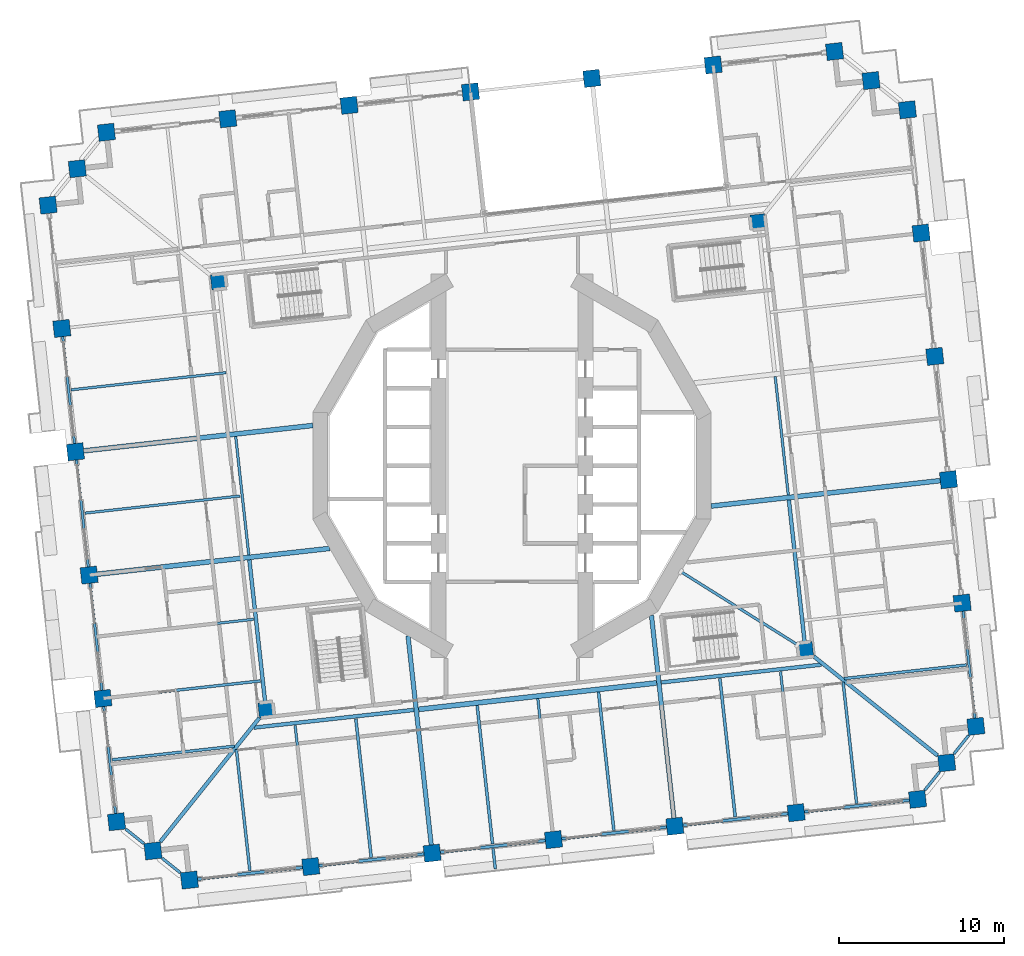
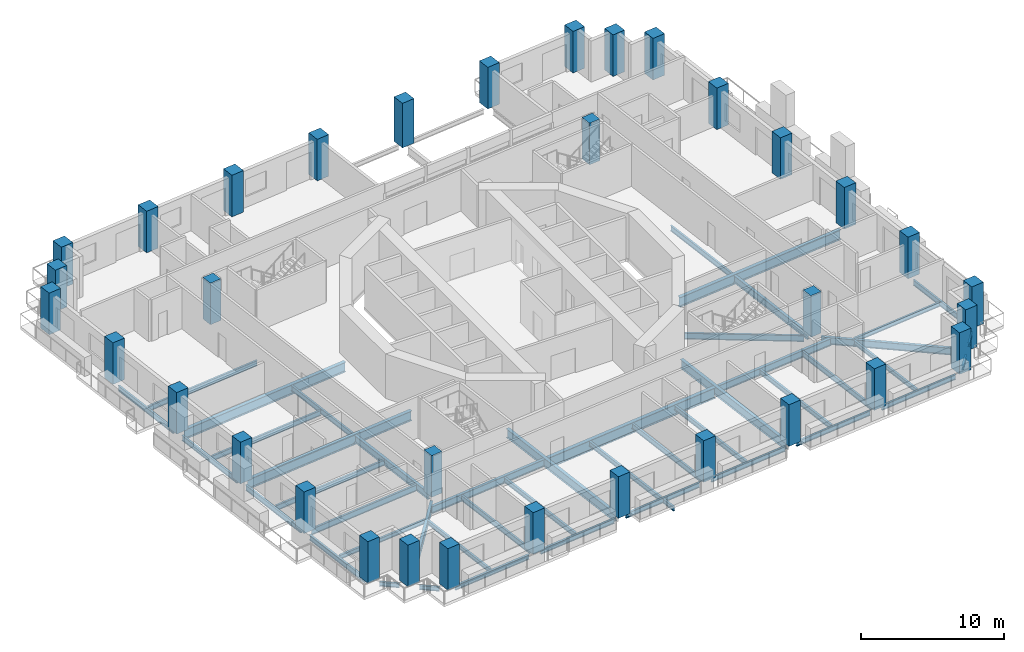
# One storey, part 1 of 20: 46 beams, 34 columns.
"""IFC4 building model written with IfcOpenShell, lengths in metres."""

from ifc_helpers import new_model, si_unit, direction, frame, origin, origin_2d, place, context, subcontext, project, spatial, rectangle, i_section, extrude, material, material_profile, profile_set, type_object, element, save


model = new_model("IFC4")

# Units and contexts
model_context = context("Model", 3, precision=1e-05, world=origin(), true_north=direction((0.0, 1.0)))
body_context = subcontext(model_context, "Body", "Model", "MODEL_VIEW")
ifc_project = project(units=[si_unit("LENGTHUNIT", "METRE"), si_unit("AREAUNIT", "SQUARE_METRE"), si_unit("VOLUMEUNIT", "CUBIC_METRE"), si_unit("PLANEANGLEUNIT", "RADIAN"), si_unit("MASSUNIT", "GRAM", prefix="KILO")], contexts=[model_context])

# Site, building, storey
site_placement = place(None, origin())
site = spatial("IfcSite", under=ifc_project, at=site_placement, CompositionType="ELEMENT")
building_placement = place(site_placement, origin())
building = spatial("IfcBuilding", under=site, at=building_placement, Name="Cantera Rosa Tower", CompositionType="ELEMENT")
storey_placement = place(building_placement, frame((0.0, 0.0, 50.10009765625)))
storey = spatial("IfcBuildingStorey", under=building, at=storey_placement, Name="L09", CompositionType="ELEMENT", Elevation=50.10009765625)

# Columns
ifc_material_1 = material(Name="Concrete C70/85", Category="concrete")
ifc_material_profile_1 = material_profile(ifc_material_1, rectangle(XDim=1.0, YDim=1.0, at=origin_2d()), Name="RC COLUMN RC1000X1000 C70/85")
ifc_profile_set_1 = profile_set([ifc_material_profile_1], Name="Concrete C70/85")
column_type_1 = type_object("IfcColumnType", Name="RC COLUMN RC1000X1000 C70/85", PredefinedType="COLUMN", material=ifc_profile_set_1)
for number, where, z_axis, x_axis, name in (
    (1, (28.114013671875, -15.795166015625, 0.0), (0.0, 0.0, 1.0), (0.993896946415, 0.110312555526, 0.0), "C-Z1-01 L09"),
    (2, (27.284423828125, -8.321044921875, 0.0), (0.0, 0.0, 1.0), (0.993896946415, 0.110312555526, 0.0), "C-Z1-02 L09"),
    (3, (26.454833984375, -0.846923828125, 0.0), (0.0, 0.0, 1.0), (0.993896946415, 0.110312555526, 0.0), "C-Z1-03 L09"),
    (4, (25.625244140625, 6.627197265625, 0.0), (0.0, 0.0, 1.0), (0.993896946415, 0.110312555526, 0.0), "C-Z1-04 L09"),
    (5, (24.795654296875, 14.101318359375, 0.0), (0.0, 0.0, 1.0), (0.993896946415, 0.110312555526, 0.0), "C-Z1-05 L09"),
    (6, (23.96630859375, 21.575439453125, 0.0), (0.0, 0.0, 1.0), (0.993896946415, 0.110312555526, 0.0), "C-Z1-06 L09"),
    (7, (21.7578125, 23.342529296875, 0.0), (0.0, 0.0, 1.0), (0.993896946415, 0.110312555526, 0.0), "C-Z1-07 L09"),
    (8, (19.54931640625, 25.10986328125, 0.0), (0.0, 0.0, 1.0), (0.993896946415, 0.110312555526, 0.0), "C-Z1-08 L09"),
    (9, (12.194580078125, 24.29345703125, 0.0), (0.0, 0.0, 1.0), (0.993896946415, 0.110312555526, 0.0), "C-Z1-09 L09"),
):
    element("IfcColumn", number, at=place(storey_placement, frame(where, z_axis=z_axis, x_axis=x_axis)), inside=storey, type_object=column_type_1, Name=name, PredefinedType="COLUMN", context=body_context, shape_type="SweptSolid", body=[
        extrude(rectangle(XDim=1.0, YDim=1.0, at=origin_2d()), origin(), (0.0, 0.0, 1.0), 3.5498046875),
    ])
column_placement = place(storey_placement, frame((4.839599609375, 23.47705078125, -0.25), z_axis=(0.0, 0.0, 1.0), x_axis=(0.993896946415, 0.110312555526, 0.0)))
element("IfcColumn", 10, at=column_placement, inside=storey, type_object=column_type_1, Name="C-Z1-10 L09", PredefinedType="COLUMN", context=body_context, shape_type="SweptSolid", body=[
    extrude(rectangle(XDim=1.0, YDim=1.0, at=origin_2d()), origin(), (0.0, 0.0, 1.0), 3.7998046875),
])
for number, where, z_axis, x_axis, name in (
    (11, (-2.51513671875, 22.660888671875, 0.0), (0.0, 0.0, 1.0), (0.993896946415, 0.110312555526, 0.0), "C-Z1-11 L09"),
    (12, (-9.869873046875, 21.844482421875, 0.0), (0.0, 0.0, 1.0), (0.993896946415, 0.110312555526, 0.0), "C-Z1-12 L09"),
    (13, (-17.224853515625, 21.0283203125, 0.0), (0.0, 0.0, 1.0), (0.993896946415, 0.110312555526, 0.0), "C-Z1-13 L09"),
    (14, (-24.57958984375, 20.2119140625, 0.0), (0.0, 0.0, 1.0), (0.993896946415, 0.110312555526, 0.0), "C-Z1-14 L09"),
    (15, (-26.346923828125, 18.00341796875, 0.0), (0.0, 0.0, 1.0), (0.993896946415, 0.110312555526, 0.0), "C-Z1-15 L09"),
    (16, (-28.114013671875, 15.795166015625, 0.0), (0.0, 0.0, 1.0), (0.993896946415, 0.110312555526, 0.0), "C-Z1-16 L09"),
    (17, (-27.284423828125, 8.321044921875, 0.0), (0.0, 0.0, 1.0), (0.993896946415, 0.110312555526, 0.0), "C-Z1-17 L09"),
    (18, (-26.454833984375, 0.846923828125, 0.0), (0.0, 0.0, 1.0), (0.993896946415, 0.110312555526, 0.0), "C-Z1-18 L09"),
    (19, (-25.625244140625, -6.627197265625, 0.0), (0.0, 0.0, 1.0), (0.993896946415, 0.110312555526, 0.0), "C-Z1-19 L09"),
    (20, (-24.795654296875, -14.101318359375, 0.0), (0.0, 0.0, 1.0), (0.993896946415, 0.110312555526, 0.0), "C-Z1-20 L09"),
    (21, (-23.96630859375, -21.575439453125, 0.0), (0.0, 0.0, 1.0), (0.993896946415, 0.110312555526, 0.0), "C-Z1-21 L09"),
    (22, (-21.7578125, -23.342529296875, 0.0), (0.0, 0.0, 1.0), (0.993896946415, 0.110312555526, 0.0), "C-Z1-22 L09"),
    (23, (-19.54931640625, -25.10986328125, 0.0), (0.0, 0.0, 1.0), (0.993896946415, 0.110312555526, 0.0), "C-Z1-23 L09"),
    (24, (-12.194580078125, -24.29345703125, 0.0), (0.0, 0.0, 1.0), (0.993896946415, 0.110312555526, 0.0), "C-Z1-24 L09"),
    (25, (-4.839599609375, -23.47705078125, 0.0), (0.0, 0.0, 1.0), (0.993896946415, 0.110312555526, 0.0), "C-Z1-25 L09"),
    (26, (2.51513671875, -22.660888671875, 0.0), (0.0, 0.0, 1.0), (0.993896946415, 0.110312555526, 0.0), "C-Z1-26 L09"),
    (27, (9.869873046875, -21.844482421875, 0.0), (0.0, 0.0, 1.0), (0.993896946415, 0.110312555526, 0.0), "C-Z1-27 L09"),
    (28, (17.224853515625, -21.0283203125, 0.0), (0.0, 0.0, 1.0), (0.993896946415, 0.110312555526, 0.0), "C-Z1-28 L09"),
    (29, (24.57958984375, -20.2119140625, 0.0), (0.0, 0.0, 1.0), (0.993896946415, 0.110312555526, 0.0), "C-Z1-29 L09"),
    (30, (26.346923828125, -18.00341796875, 0.0), (0.0, 0.0, 1.0), (0.993896946415, 0.110312555526, 0.0), "C-Z1-30 L09"),
):
    element("IfcColumn", number, at=place(storey_placement, frame(where, z_axis=z_axis, x_axis=x_axis)), inside=storey, type_object=column_type_1, Name=name, PredefinedType="COLUMN", context=body_context, shape_type="SweptSolid", body=[
        extrude(rectangle(XDim=1.0, YDim=1.0, at=origin_2d()), origin(), (0.0, 0.0, 1.0), 3.5498046875),
    ])
ifc_material_2 = material(Name="Concrete C70/85", Category="concrete")
ifc_material_profile_2 = material_profile(ifc_material_2, rectangle(XDim=0.89990234375, YDim=0.89990234375, at=origin_2d()), Name="RC RING COLUMN RC900X900 C70/85")
ifc_profile_set_2 = profile_set([ifc_material_profile_2], Name="Concrete C70/85")
column_type_2 = type_object("IfcColumnType", Name="RC RING COLUMN RC900X900 C70/85", PredefinedType="COLUMN", material=ifc_profile_set_2)
for number, where, z_axis, x_axis, name in (
    (31, (14.909912109375, 14.784912109375, 0.0), (0.0, 0.0, 1.0), (0.993896946415, 0.110312555526, 0.0), "CI-Z1-1 L09"),
    (32, (-17.7890625, 11.15576171875, 0.0), (0.0, 0.0, 1.0), (0.993896946415, 0.110312555526, 0.0), "CI-Z1-2 L09"),
    (33, (-14.909912109375, -14.784912109375, 0.0), (0.0, 0.0, 1.0), (0.993896946415, 0.110312555526, 0.0), "CI-Z1-3 L09"),
    (34, (17.7890625, -11.15576171875, 0.0), (0.0, 0.0, 1.0), (0.993896946415, 0.110312555526, 0.0), "CI-Z1-4 L09"),
):
    element("IfcColumn", number, at=place(storey_placement, frame(where, z_axis=z_axis, x_axis=x_axis)), inside=storey, type_object=column_type_2, Name=name, PredefinedType="COLUMN", context=body_context, shape_type="SweptSolid", body=[
        extrude(rectangle(XDim=0.89990234375, YDim=0.89990234375, at=origin_2d()), origin(), (0.0, 0.0, 1.0), 3.5498046875),
    ])

# Beams
ifc_material_3 = material(Name="Steel ASTM A992 (Fy 345 MPa)", Category="steel")
ifc_material_profile_3 = material_profile(ifc_material_3, i_section(OverallWidth=0.154052734375, OverallDepth=0.4599609375, WebThickness=0.009033203125, FlangeThickness=0.015380859375, FilletRadius=0.01025390625, at=origin_2d()), Name="W460X68")
ifc_profile_set_3 = profile_set([ifc_material_profile_3], Name="Steel ASTM A992 (Fy 345 MPa)")
beam_type_1 = type_object("IfcBeamType", Name="STEEL BEAM W460X68", PredefinedType="BEAM", material=ifc_profile_set_3)
beam_1_placement = place(storey_placement, frame((-12.249755859375, -23.796630859375, -0.47998046875), z_axis=(-0.110312435488, 0.993896959738, 0.0), x_axis=(-0.993896959738, -0.110312435488, 0.0)))
element("IfcBeam", 35, at=beam_1_placement, inside=storey, type_object=beam_type_1, Name="G-Z1-10 L09", PredefinedType="BEAM", context=body_context, shape_type="SweptSolid", body=[
    extrude(i_section(OverallWidth=0.154052734375, OverallDepth=0.4599609375, WebThickness=0.009033203125, FlangeThickness=0.015380859375, FilletRadius=0.01025390625, at=origin_2d()), origin(), (0.0, 0.0, 1.0), 8.10009765625),
])
for number, where, z_axis, x_axis, name in (
    (36, (2.4599609375, -22.163818359375, -0.47998046875), (-0.110315740112, 0.993896592953, 0.0), (-0.993896592953, -0.110315740112, 0.0), "G-Z1-12 L09"),
    (37, (17.169677734375, -20.53125, -0.47998046875), (-0.110315740112, 0.993896592953, 0.0), (-0.993896592953, -0.110315740112, 0.0), "G-Z1-14 L09"),
):
    element("IfcBeam", number, at=place(storey_placement, frame(where, z_axis=z_axis, x_axis=x_axis)), inside=storey, type_object=beam_type_1, Name=name, PredefinedType="BEAM", context=body_context, shape_type="SweptSolid", body=[
        extrude(i_section(OverallWidth=0.154052734375, OverallDepth=0.4599609375, WebThickness=0.009033203125, FlangeThickness=0.015380859375, FilletRadius=0.01025390625, at=origin_2d()), origin(), (0.0, 0.0, 1.0), 8.099853515625),
    ])
for number, where, z_axis, x_axis, name in (
    (38, (16.747802734375, -1.7734375, -0.47998046875), (-0.110301629462, 0.993898159037, 0.0), (-0.993898159037, -0.110301629462, 0.0), "RB-Z1-08 L09"),
    (39, (-15.951416015625, -5.402587890625, -0.47998046875), (-0.110301629462, 0.993898159037, 0.0), (-0.993898159037, -0.110301629462, 0.0), "RB-Z1-11 L09"),
):
    element("IfcBeam", number, at=place(storey_placement, frame(where, z_axis=z_axis, x_axis=x_axis)), inside=storey, type_object=beam_type_1, Name=name, PredefinedType="BEAM", context=body_context, shape_type="SweptSolid", body=[
        extrude(i_section(OverallWidth=0.154052734375, OverallDepth=0.4599609375, WebThickness=0.009033203125, FlangeThickness=0.015380859375, FilletRadius=0.01025390625, at=origin_2d()), origin(), (0.0, 0.0, 1.0), 7.219970703125),
    ])
ifc_material_4 = material(Name="Steel ASTM A992 (Fy 345 MPa)", Category="steel")
ifc_material_profile_4 = material_profile(ifc_material_4, i_section(OverallWidth=0.166015625, OverallDepth=0.528076171875, WebThickness=0.009765625, FlangeThickness=0.013671875, FilletRadius=0.0126953125, at=origin_2d()), Name="W530X74")
ifc_profile_set_4 = profile_set([ifc_material_profile_4], Name="Steel ASTM A992 (Fy 345 MPa)")
beam_type_2 = type_object("IfcBeamType", Name="STEEL BEAM W530X74", PredefinedType="BEAM", material=ifc_profile_set_4)
beam_2_placement = place(storey_placement, frame((-24.298828125, -14.046142578125, -0.51416015625), z_axis=(0.993896161189, 0.110319630049, 0.0), x_axis=(-0.110319630049, 0.993896161189, 0.0)))
element("IfcBeam", 40, at=beam_2_placement, inside=storey, type_object=beam_type_2, Name="G-Z1-18 L09", PredefinedType="BEAM", context=body_context, shape_type="SweptSolid", body=[
    extrude(i_section(OverallWidth=0.166015625, OverallDepth=0.528076171875, WebThickness=0.009765625, FlangeThickness=0.013671875, FilletRadius=0.0126953125, at=origin_2d()), origin(), (0.0, 0.0, 1.0), 9.10009765625),
])
beam_3_placement = place(storey_placement, frame((17.302490234375, -10.8505859375, -0.51416015625), z_axis=(-0.847189957301, 0.531290105543, 0.0), x_axis=(-0.531290105543, -0.847189957301, 0.0)))
element("IfcBeam", 41, at=beam_3_placement, inside=storey, type_object=beam_type_2, Name="PG-Z1-01 L09", PredefinedType="BEAM", context=body_context, shape_type="SweptSolid", body=[
    extrude(i_section(OverallWidth=0.166015625, OverallDepth=0.528076171875, WebThickness=0.009765625, FlangeThickness=0.013671875, FilletRadius=0.0126953125, at=origin_2d()), origin(), (0.0, 0.0, 1.0), 8.34130859375),
])
ifc_material_5 = material(Name="Steel ASTM A992 (Fy 345 MPa)", Category="steel")
ifc_material_profile_5 = material_profile(ifc_material_5, i_section(OverallWidth=0.22802734375, OverallDepth=0.60205078125, WebThickness=0.010498046875, FlangeThickness=0.014892578125, FilletRadius=0.0126953125, at=origin_2d()), Name="W610X101")
ifc_profile_set_5 = profile_set([ifc_material_profile_5], Name="Steel ASTM A992 (Fy 345 MPa)")
beam_type_3 = type_object("IfcBeamType", Name="STEEL BEAM W610X101", PredefinedType="BEAM", material=ifc_profile_set_5)
beam_4_placement = place(storey_placement, frame((-21.31591796875, -22.79052734375, -0.551025390625), z_axis=(0.624787924463, 0.780794498857, 0.0), x_axis=(-0.780794498857, 0.624787924463, 0.0)))
element("IfcBeam", 42, at=beam_4_placement, inside=storey, type_object=beam_type_3, Name="CB-Z1-03 L09", PredefinedType="BEAM", context=body_context, shape_type="SweptSolid", body=[
    extrude(i_section(OverallWidth=0.22802734375, OverallDepth=0.60205078125, WebThickness=0.010498046875, FlangeThickness=0.014892578125, FilletRadius=0.0126953125, at=origin_2d()), origin(), (0.0, 0.0, 1.0), 9.616455078125),
])
beam_5_placement = place(storey_placement, frame((25.794677734375, -17.561767578125, -0.551025390625), z_axis=(-0.78078211406, 0.62480340137, 0.0), x_axis=(-0.62480340137, -0.78078211406, 0.0)))
element("IfcBeam", 43, at=beam_5_placement, inside=storey, type_object=beam_type_3, Name="CB-Z1-04 L09", PredefinedType="BEAM", context=body_context, shape_type="SweptSolid", body=[
    extrude(i_section(OverallWidth=0.22802734375, OverallDepth=0.60205078125, WebThickness=0.010498046875, FlangeThickness=0.014892578125, FilletRadius=0.0126953125, at=origin_2d()), origin(), (0.0, 0.0, 1.0), 9.61669921875),
])
for number, where, z_axis, x_axis, name in (
    (44, (17.739501953125, -10.70849609375, -0.551025390625), (-0.110298932846, 0.993898458301, 0.0), (-0.993898458301, -0.110298932846, 0.0), "RB-Z1-07 L09"),
    (45, (-14.959716796875, -14.337646484375, -0.551025390625), (-0.110298932846, 0.993898458301, 0.0), (-0.993898458301, -0.110298932846, 0.0), "RB-Z1-10 L09"),
):
    element("IfcBeam", number, at=place(storey_placement, frame(where, z_axis=z_axis, x_axis=x_axis)), inside=storey, type_object=beam_type_3, Name=name, PredefinedType="BEAM", context=body_context, shape_type="SweptSolid", body=[
        extrude(i_section(OverallWidth=0.22802734375, OverallDepth=0.60205078125, WebThickness=0.010498046875, FlangeThickness=0.014892578125, FilletRadius=0.0126953125, at=origin_2d()), origin(), (0.0, 0.0, 1.0), 8.68994140625),
    ])
ifc_material_6 = material(Name="Steel ASTM A992 (Fy 345 MPa)", Category="steel")
ifc_material_profile_6 = material_profile(ifc_material_6, i_section(OverallWidth=0.22900390625, OverallDepth=0.612060546875, WebThickness=0.011962890625, FlangeThickness=0.01953125, FilletRadius=0.0126953125, at=origin_2d()), Name="W610X125")
ifc_profile_set_6 = profile_set([ifc_material_profile_6], Name="Steel ASTM A992 (Fy 345 MPa)")
beam_type_4 = type_object("IfcBeamType", Name="STEEL BEAM W610X125", PredefinedType="BEAM", material=ifc_profile_set_6)
beam_6_placement = place(storey_placement, frame((-15.64453125, -15.87255859375, -0.55615234375), z_axis=(0.993898078625, 0.110302354035, 0.0), x_axis=(-0.110302354035, 0.993898078625, 0.0)))
element("IfcBeam", 46, at=beam_6_placement, inside=storey, type_object=beam_type_4, Name="RB-Z1-04 L09", PredefinedType="BEAM", context=body_context, shape_type="SweptSolid", body=[
    extrude(i_section(OverallWidth=0.22900390625, OverallDepth=0.612060546875, WebThickness=0.011962890625, FlangeThickness=0.01953125, FilletRadius=0.0126953125, at=origin_2d()), origin(), (0.0, 0.0, 1.0), 9.75),
])
beam_7_placement = place(storey_placement, frame((9.0537109375, -13.13134765625, -0.55615234375), z_axis=(0.993898383269, 0.110299608956, 0.0), x_axis=(-0.110299608956, 0.993898383269, 0.0)))
element("IfcBeam", 47, at=beam_7_placement, inside=storey, type_object=beam_type_4, Name="RB-Z1-06 L09", PredefinedType="BEAM", context=body_context, shape_type="SweptSolid", body=[
    extrude(i_section(OverallWidth=0.22900390625, OverallDepth=0.612060546875, WebThickness=0.011962890625, FlangeThickness=0.01953125, FilletRadius=0.0126953125, at=origin_2d()), origin(), (0.0, 0.0, 1.0), 9.750244140625),
])
ifc_material_7 = material(Name="Steel ASTM A992 (Fy 345 MPa)", Category="steel")
ifc_material_profile_7 = material_profile(ifc_material_7, i_section(OverallWidth=0.26708984375, OverallDepth=0.75390625, WebThickness=0.01318359375, FlangeThickness=0.01708984375, FilletRadius=0.0166015625, at=origin_2d()), Name="W760X147")
ifc_profile_set_7 = profile_set([ifc_material_profile_7], Name="Steel ASTM A992 (Fy 345 MPa)")
beam_type_5 = type_object("IfcBeamType", Name="STEEL BEAM W760X147", PredefinedType="BEAM", material=ifc_profile_set_7)
beam_8_placement = place(storey_placement, frame((-4.894775390625, -22.980224609375, -0.627197265625), z_axis=(-0.11031177493, 0.993897033053, 0.0), x_axis=(-0.993897033053, -0.11031177493, 0.0)))
element("IfcBeam", 48, at=beam_8_placement, inside=storey, type_object=beam_type_5, Name="G-Z1-11 L09", PredefinedType="BEAM", context=body_context, shape_type="SweptSolid", body=[
    extrude(i_section(OverallWidth=0.26708984375, OverallDepth=0.75390625, WebThickness=0.01318359375, FlangeThickness=0.01708984375, FilletRadius=0.0166015625, at=origin_2d()), origin(), (0.0, 0.0, 1.0), 12.754638671875),
])
beam_9_placement = place(storey_placement, frame((9.814697265625, -21.34765625, -0.627197265625), z_axis=(-0.110292782244, 0.993899140851, 0.0), x_axis=(-0.993899140851, -0.110292782244, 0.0)))
element("IfcBeam", 49, at=beam_9_placement, inside=storey, type_object=beam_type_5, Name="G-Z1-13 L09", PredefinedType="BEAM", context=body_context, shape_type="SweptSolid", body=[
    extrude(i_section(OverallWidth=0.26708984375, OverallDepth=0.75390625, WebThickness=0.01318359375, FlangeThickness=0.01708984375, FilletRadius=0.0166015625, at=origin_2d()), origin(), (0.0, 0.0, 1.0), 12.360595703125),
])
ifc_material_8 = material(Name="Steel ASTM A992 (Fy 345 MPa)", Category="steel")
ifc_material_profile_8 = material_profile(ifc_material_8, i_section(OverallWidth=0.2919921875, OverallDepth=0.8359375, WebThickness=0.013916015625, FlangeThickness=0.018798828125, FilletRadius=0.017822265625, at=origin_2d()), Name="W840X176")
ifc_profile_set_8 = profile_set([ifc_material_profile_8], Name="Steel ASTM A992 (Fy 345 MPa)")
beam_type_6 = type_object("IfcBeamType", Name="STEEL BEAM W840X176", PredefinedType="BEAM", material=ifc_profile_set_8)
for number, where, z_axis, x_axis, name in (
    (50, (25.9580078125, -0.902099609375, -0.668212890625), (-0.993898644981, -0.110297250672, 0.0), (0.110297250672, -0.993898644981, 0.0), "G-Z1-02 L09"),
    (51, (-25.9580078125, 0.902099609375, -0.668212890625), (0.993898644981, 0.110297250672, 0.0), (-0.110297250672, 0.993898644981, 0.0), "G-Z1-16 L09"),
):
    element("IfcBeam", number, at=place(storey_placement, frame(where, z_axis=z_axis, x_axis=x_axis)), inside=storey, type_object=beam_type_6, Name=name, PredefinedType="BEAM", context=body_context, shape_type="SweptSolid", body=[
        extrude(i_section(OverallWidth=0.2919921875, OverallDepth=0.8359375, WebThickness=0.013916015625, FlangeThickness=0.018798828125, FilletRadius=0.017822265625, at=origin_2d()), origin(), (0.0, 0.0, 1.0), 13.96923828125),
    ])
beam_10_placement = place(storey_placement, frame((-25.12841796875, -6.572021484375, -0.668212890625), z_axis=(0.993897599241, 0.110306673519, 0.0), x_axis=(-0.110306673519, 0.993897599241, 0.0)))
element("IfcBeam", 52, at=beam_10_placement, inside=storey, type_object=beam_type_6, Name="G-Z1-17 L09", PredefinedType="BEAM", context=body_context, shape_type="SweptSolid", body=[
    extrude(i_section(OverallWidth=0.2919921875, OverallDepth=0.8359375, WebThickness=0.013916015625, FlangeThickness=0.018798828125, FilletRadius=0.017822265625, at=origin_2d()), origin(), (0.0, 0.0, 1.0), 14.1650390625),
])
ifc_material_9 = material(Name="Steel ASTM A992 (Fy 345 MPa)", Category="steel")
ifc_material_profile_9 = material_profile(ifc_material_9, i_section(OverallWidth=0.304931640625, OverallDepth=0.9189453125, WebThickness=0.017333984375, FlangeThickness=0.02783203125, FilletRadius=0.01904296875, at=origin_2d()), Name="W920X253")
ifc_profile_set_9 = profile_set([ifc_material_profile_9], Name="Steel ASTM A992 (Fy 345 MPa)")
beam_type_7 = type_object("IfcBeamType", Name="STEEL BEAM W920X253", PredefinedType="BEAM", material=ifc_profile_set_9)
beam_11_placement = place(storey_placement, frame((-5.65576171875, -14.763916015625, -0.709716796875), z_axis=(0.993898099692, 0.110302164209, 0.0), x_axis=(-0.110302164209, 0.993898099692, 0.0)))
element("IfcBeam", 53, at=beam_11_placement, inside=storey, type_object=beam_type_7, Name="RB-Z1-05 L09", PredefinedType="BEAM", context=body_context, shape_type="SweptSolid", body=[
    extrude(i_section(OverallWidth=0.304931640625, OverallDepth=0.9189453125, WebThickness=0.017333984375, FlangeThickness=0.02783203125, FilletRadius=0.01904296875, at=origin_2d()), origin(), (0.0, 0.0, 1.0), 14.499755859375),
])
ifc_material_10 = material(Name="Steel ASTM A992 (Fy 345 MPa)", Category="steel")
ifc_material_profile_10 = material_profile(ifc_material_10, i_section(OverallWidth=0.1708984375, OverallDepth=0.35595703125, WebThickness=0.00732421875, FlangeThickness=0.01171875, FilletRadius=0.010009765625, at=origin_2d()), Name="W360X51")
ifc_profile_set_10 = profile_set([ifc_material_profile_10], Name="Steel ASTM A992 (Fy 345 MPa)")
beam_type_8 = type_object("IfcBeamType", Name="STEEL JOIST W360X51", PredefinedType="JOIST", material=ifc_profile_set_10)
beam_12_placement = place(storey_placement, frame((27.550048828125, -12.074462890625, -0.427978515625), z_axis=(-0.993895702238, -0.110323764768, 0.0), x_axis=(0.110323764768, -0.993895702238, 0.0)))
element("IfcBeam", 54, at=beam_12_placement, inside=storey, type_object=beam_type_8, Name="B-Z1-01 L09", PredefinedType="JOIST", context=body_context, shape_type="SweptSolid", body=[
    extrude(i_section(OverallWidth=0.1708984375, OverallDepth=0.35595703125, WebThickness=0.00732421875, FlangeThickness=0.01171875, FilletRadius=0.010009765625, at=origin_2d()), origin(), (0.0, 0.0, 1.0), 7.4599609375),
])
for number, where, z_axis, x_axis, name in (
    (55, (-15.888427734375, -24.552490234375, -0.427978515625), (-0.110326513132, 0.993895397162, 0.0), (-0.993895397162, -0.110326513132, 0.0), "B-Z1-12 L09"),
    (56, (20.8857421875, -20.470947265625, -0.427978515625), (-0.110326513132, 0.993895397162, 0.0), (-0.993895397162, -0.110326513132, 0.0), "B-Z1-17 L09"),
):
    element("IfcBeam", number, at=place(storey_placement, frame(where, z_axis=z_axis, x_axis=x_axis)), inside=storey, type_object=beam_type_8, Name=name, PredefinedType="JOIST", context=body_context, shape_type="SweptSolid", body=[
        extrude(i_section(OverallWidth=0.1708984375, OverallDepth=0.35595703125, WebThickness=0.00732421875, FlangeThickness=0.01171875, FilletRadius=0.010009765625, at=origin_2d()), origin(), (0.0, 0.0, 1.0), 7.39990234375),
    ])
beam_13_placement = place(storey_placement, frame((-24.23193359375, -17.82177734375, -0.427978515625), z_axis=(0.993899688369, 0.110287848199, 0.0), x_axis=(-0.110287848199, 0.993899688369, 0.0)))
element("IfcBeam", 57, at=beam_13_placement, inside=storey, type_object=beam_type_8, Name="B-Z1-22 L09", PredefinedType="JOIST", context=body_context, shape_type="SweptSolid", body=[
    extrude(i_section(OverallWidth=0.1708984375, OverallDepth=0.35595703125, WebThickness=0.00732421875, FlangeThickness=0.01171875, FilletRadius=0.010009765625, at=origin_2d()), origin(), (0.0, 0.0, 1.0), 7.4599609375),
])
beam_14_placement = place(storey_placement, frame((-1.14794921875, -23.1982421875, -0.427978515625), z_axis=(0.110345783203, -0.993893257915, 0.0), x_axis=(0.993893257915, 0.110345783203, 0.0)))
element("IfcBeam", 58, at=beam_14_placement, inside=storey, type_object=beam_type_8, Name="BS-Z1-04 L09", PredefinedType="JOIST", context=body_context, shape_type="SweptSolid", body=[
    extrude(i_section(OverallWidth=0.1708984375, OverallDepth=0.35595703125, WebThickness=0.00732421875, FlangeThickness=0.01171875, FilletRadius=0.010009765625, at=origin_2d()), origin(), (0.0, 0.0, 1.0), 1.25),
])
ifc_material_11 = material(Name="Steel ASTM A992 (Fy 345 MPa)", Category="steel")
ifc_material_profile_11 = material_profile(ifc_material_11, i_section(OverallWidth=0.177978515625, OverallDepth=0.406005859375, WebThickness=0.0078125, FlangeThickness=0.0126953125, FilletRadius=0.01025390625, at=origin_2d()), Name="W410X60")
ifc_profile_set_11 = profile_set([ifc_material_profile_11], Name="Steel ASTM A992 (Fy 345 MPa)")
beam_type_9 = type_object("IfcBeamType", Name="STEEL JOIST W410X60", PredefinedType="JOIST", material=ifc_profile_set_11)
for number, where, z_axis, x_axis, name in (
    (59, (-8.53369140625, -23.736328125, -0.453125), (-0.110311022989, 0.99389711651, 0.0), (-0.99389711651, -0.110311022989, 0.0), "B-Z1-13 L09"),
    (60, (-1.178955078125, -22.919921875, -0.453125), (-0.110311022989, 0.99389711651, 0.0), (-0.99389711651, -0.110311022989, 0.0), "B-Z1-14 L09"),
    (61, (6.176025390625, -22.103515625, -0.453125), (-0.110311022989, 0.99389711651, 0.0), (-0.99389711651, -0.110311022989, 0.0), "B-Z1-15 L09"),
    (62, (13.53076171875, -21.287353515625, -0.453125), (-0.110311022989, 0.99389711651, 0.0), (-0.99389711651, -0.110311022989, 0.0), "B-Z1-16 L09"),
):
    element("IfcBeam", number, at=place(storey_placement, frame(where, z_axis=z_axis, x_axis=x_axis)), inside=storey, type_object=beam_type_9, Name=name, PredefinedType="JOIST", context=body_context, shape_type="SweptSolid", body=[
        extrude(i_section(OverallWidth=0.177978515625, OverallDepth=0.406005859375, WebThickness=0.0078125, FlangeThickness=0.0126953125, FilletRadius=0.01025390625, at=origin_2d()), origin(), (0.0, 0.0, 1.0), 8.449951171875),
    ])
ifc_material_12 = material(Name="Steel ASTM A992 (Fy 345 MPa)", Category="steel")
ifc_material_profile_12 = material_profile(ifc_material_12, i_section(OverallWidth=0.154052734375, OverallDepth=0.4599609375, WebThickness=0.009033203125, FlangeThickness=0.015380859375, FilletRadius=0.01025390625, at=origin_2d()), Name="W460X68")
ifc_profile_set_12 = profile_set([ifc_material_profile_12], Name="Steel ASTM A992 (Fy 345 MPa)")
beam_type_10 = type_object("IfcBeamType", Name="STEEL JOIST W460X68", PredefinedType="JOIST", material=ifc_profile_set_12)
for number, where, z_axis, x_axis, name in (
    (63, (-26.720458984375, 4.600341796875, -0.47998046875), (0.993896645353, 0.110315268011, 0.0), (-0.110315268011, 0.993896645353, 0.0), "B-Z1-19 L09"),
    (64, (-25.89111328125, -2.87353515625, -0.47998046875), (0.993899477629, 0.110289747342, 0.0), (-0.110289747342, 0.993899477629, 0.0), "B-Z1-20 L09"),
    (65, (-25.0615234375, -10.34765625, -0.47998046875), (0.993896645353, 0.110315268011, 0.0), (-0.110315268011, 0.993896645353, 0.0), "B-Z1-21 L09"),
):
    element("IfcBeam", number, at=place(storey_placement, frame(where, z_axis=z_axis, x_axis=x_axis)), inside=storey, type_object=beam_type_10, Name=name, PredefinedType="JOIST", context=body_context, shape_type="SweptSolid", body=[
        extrude(i_section(OverallWidth=0.154052734375, OverallDepth=0.4599609375, WebThickness=0.009033203125, FlangeThickness=0.015380859375, FilletRadius=0.01025390625, at=origin_2d()), origin(), (0.0, 0.0, 1.0), 9.449951171875),
    ])
ifc_material_13 = material(Name="Steel ASTM A992 (Fy 345 MPa)", Category="steel")
ifc_material_profile_13 = material_profile(ifc_material_13, i_section(OverallWidth=0.1708984375, OverallDepth=0.35595703125, WebThickness=0.00732421875, FlangeThickness=0.01171875, FilletRadius=0.010009765625, at=origin_2d()), Name="W360X51")
ifc_profile_set_13 = profile_set([ifc_material_profile_13], Name="Steel ASTM A992 (Fy 345 MPa)")
beam_type_11 = type_object("IfcBeamType", Name="STEEL SPANDREL BEAM W360X51", PredefinedType="SPANDREL", material=ifc_profile_set_13)
for number, where, z_axis, x_axis, name in (
    (66, (-23.4140625, -22.017333984375, -0.427978515625), (0.780818280208, -0.624758203863, 0.0), (0.624758203863, 0.780818280208, 0.0), "EB-Z1-21 L09"),
    (67, (-21.205810546875, -23.784423828125, -0.427978515625), (0.780818280208, -0.624758203863, 0.0), (0.624758203863, 0.780818280208, 0.0), "EB-Z1-22 L09"),
    (68, (25.021484375, -19.659912109375, -0.427978515625), (0.624758203863, 0.780818280208, 0.0), (-0.780818280208, 0.624758203863, 0.0), "EB-Z1-29 L09"),
    (69, (26.78857421875, -17.451416015625, -0.427978515625), (0.624758203863, 0.780818280208, 0.0), (-0.780818280208, 0.624758203863, 0.0), "EB-Z1-30 L09"),
):
    element("IfcBeam", number, at=place(storey_placement, frame(where, z_axis=z_axis, x_axis=x_axis)), inside=storey, type_object=beam_type_11, Name=name, PredefinedType="SPANDREL", context=body_context, shape_type="SweptSolid", body=[
        extrude(i_section(OverallWidth=0.1708984375, OverallDepth=0.35595703125, WebThickness=0.00732421875, FlangeThickness=0.01171875, FilletRadius=0.010009765625, at=origin_2d()), origin(), (0.0, 0.0, 1.0), 1.414306640625),
    ])
ifc_material_14 = material(Name="Steel ASTM A992 (Fy 345 MPa)", Category="steel")
ifc_material_profile_14 = material_profile(ifc_material_14, i_section(OverallWidth=0.177978515625, OverallDepth=0.406005859375, WebThickness=0.0078125, FlangeThickness=0.0126953125, FilletRadius=0.01025390625, at=origin_2d()), Name="W410X60")
ifc_profile_set_14 = profile_set([ifc_material_profile_14], Name="Steel ASTM A992 (Fy 345 MPa)")
beam_type_12 = type_object("IfcBeamType", Name="STEEL SPANDREL BEAM W410X60", PredefinedType="SPANDREL", material=ifc_profile_set_14)
beam_15_placement = place(storey_placement, frame((-19.052490234375, -25.0546875, -0.453125), z_axis=(0.993896288542, 0.110318482689, 0.0), x_axis=(-0.110318482689, 0.993896288542, 0.0)))
element("IfcBeam", 70, at=beam_15_placement, inside=storey, type_object=beam_type_12, Name="EB-Z1-23 L09", PredefinedType="SPANDREL", context=body_context, shape_type="SweptSolid", body=[
    extrude(i_section(OverallWidth=0.177978515625, OverallDepth=0.406005859375, WebThickness=0.0078125, FlangeThickness=0.0126953125, FilletRadius=0.01025390625, at=origin_2d()), origin(), (0.0, 0.0, 1.0), 6.400146484375),
])
for number, where, z_axis, x_axis, name in (
    (71, (-11.697509765625, -24.23828125, -0.453125), (0.993895824271, 0.110322665379, 0.0), (-0.110322665379, 0.993895824271, 0.0), "EB-Z1-24 L09"),
    (72, (-4.3427734375, -23.422119140625, -0.453125), (0.993895824271, 0.110322665379, 0.0), (-0.110322665379, 0.993895824271, 0.0), "EB-Z1-25 L09"),
):
    element("IfcBeam", number, at=place(storey_placement, frame(where, z_axis=z_axis, x_axis=x_axis)), inside=storey, type_object=beam_type_12, Name=name, PredefinedType="SPANDREL", context=body_context, shape_type="SweptSolid", body=[
        extrude(i_section(OverallWidth=0.177978515625, OverallDepth=0.406005859375, WebThickness=0.0078125, FlangeThickness=0.0126953125, FilletRadius=0.01025390625, at=origin_2d()), origin(), (0.0, 0.0, 1.0), 6.39990234375),
    ])
beam_16_placement = place(storey_placement, frame((3.011962890625, -22.605712890625, -0.453125), z_axis=(0.993896288542, 0.110318482689, 0.0), x_axis=(-0.110318482689, 0.993896288542, 0.0)))
element("IfcBeam", 73, at=beam_16_placement, inside=storey, type_object=beam_type_12, Name="EB-Z1-26 L09", PredefinedType="SPANDREL", context=body_context, shape_type="SweptSolid", body=[
    extrude(i_section(OverallWidth=0.177978515625, OverallDepth=0.406005859375, WebThickness=0.0078125, FlangeThickness=0.0126953125, FilletRadius=0.01025390625, at=origin_2d()), origin(), (0.0, 0.0, 1.0), 6.400146484375),
])
beam_17_placement = place(storey_placement, frame((10.366943359375, -21.789306640625, -0.453125), z_axis=(0.993900006422, 0.110284981906, 0.0), x_axis=(-0.110284981906, 0.993900006422, 0.0)))
element("IfcBeam", 74, at=beam_17_placement, inside=storey, type_object=beam_type_12, Name="EB-Z1-27 L09", PredefinedType="SPANDREL", context=body_context, shape_type="SweptSolid", body=[
    extrude(i_section(OverallWidth=0.177978515625, OverallDepth=0.406005859375, WebThickness=0.0078125, FlangeThickness=0.0126953125, FilletRadius=0.01025390625, at=origin_2d()), origin(), (0.0, 0.0, 1.0), 6.39990234375),
])
beam_18_placement = place(storey_placement, frame((17.7216796875, -20.97314453125, -0.453125), z_axis=(0.993896288542, 0.110318482689, 0.0), x_axis=(-0.110318482689, 0.993896288542, 0.0)))
element("IfcBeam", 75, at=beam_18_placement, inside=storey, type_object=beam_type_12, Name="EB-Z1-28 L09", PredefinedType="SPANDREL", context=body_context, shape_type="SweptSolid", body=[
    extrude(i_section(OverallWidth=0.177978515625, OverallDepth=0.406005859375, WebThickness=0.0078125, FlangeThickness=0.0126953125, FilletRadius=0.01025390625, at=origin_2d()), origin(), (0.0, 0.0, 1.0), 6.400146484375),
])
ifc_material_15 = material(Name="Steel ASTM A992 (Fy 345 MPa)", Category="steel")
ifc_material_profile_15 = material_profile(ifc_material_15, i_section(OverallWidth=0.154052734375, OverallDepth=0.4599609375, WebThickness=0.009033203125, FlangeThickness=0.015380859375, FilletRadius=0.01025390625, at=origin_2d()), Name="W460X68")
ifc_profile_set_15 = profile_set([ifc_material_profile_15], Name="Steel ASTM A992 (Fy 345 MPa)")
beam_type_13 = type_object("IfcBeamType", Name="STEEL SPANDREL BEAM W460X68", PredefinedType="SPANDREL", material=ifc_profile_set_15)
for number, where, z_axis, x_axis, name in (
    (76, (28.058837890625, -15.298095703125, -0.47998046875), (-0.110312341265, 0.993896970196, 0.0), (-0.993896970196, -0.110312341265, 0.0), "EB-Z1-01 L09"),
    (77, (-27.229248046875, 7.823974609375, -0.47998046875), (0.110312341265, -0.993896970196, 0.0), (0.993896970196, 0.110312341265, 0.0), "EB-Z1-17 L09"),
    (78, (-26.399658203125, 0.349853515625, -0.47998046875), (0.110312341265, -0.993896970196, 0.0), (0.993896970196, 0.110312341265, 0.0), "EB-Z1-18 L09"),
    (79, (-25.570068359375, -7.124267578125, -0.47998046875), (0.110312341265, -0.993896970196, 0.0), (0.993896970196, 0.110312341265, 0.0), "EB-Z1-19 L09"),
    (80, (-24.74072265625, -14.598388671875, -0.47998046875), (0.110312341265, -0.993896970196, 0.0), (0.993896970196, 0.110312341265, 0.0), "EB-Z1-20 L09"),
):
    element("IfcBeam", number, at=place(storey_placement, frame(where, z_axis=z_axis, x_axis=x_axis)), inside=storey, type_object=beam_type_13, Name=name, PredefinedType="SPANDREL", context=body_context, shape_type="SweptSolid", body=[
        extrude(i_section(OverallWidth=0.154052734375, OverallDepth=0.4599609375, WebThickness=0.009033203125, FlangeThickness=0.015380859375, FilletRadius=0.01025390625, at=origin_2d()), origin(), (0.0, 0.0, 1.0), 6.52001953125),
    ])

save(model, "model.ifc")
